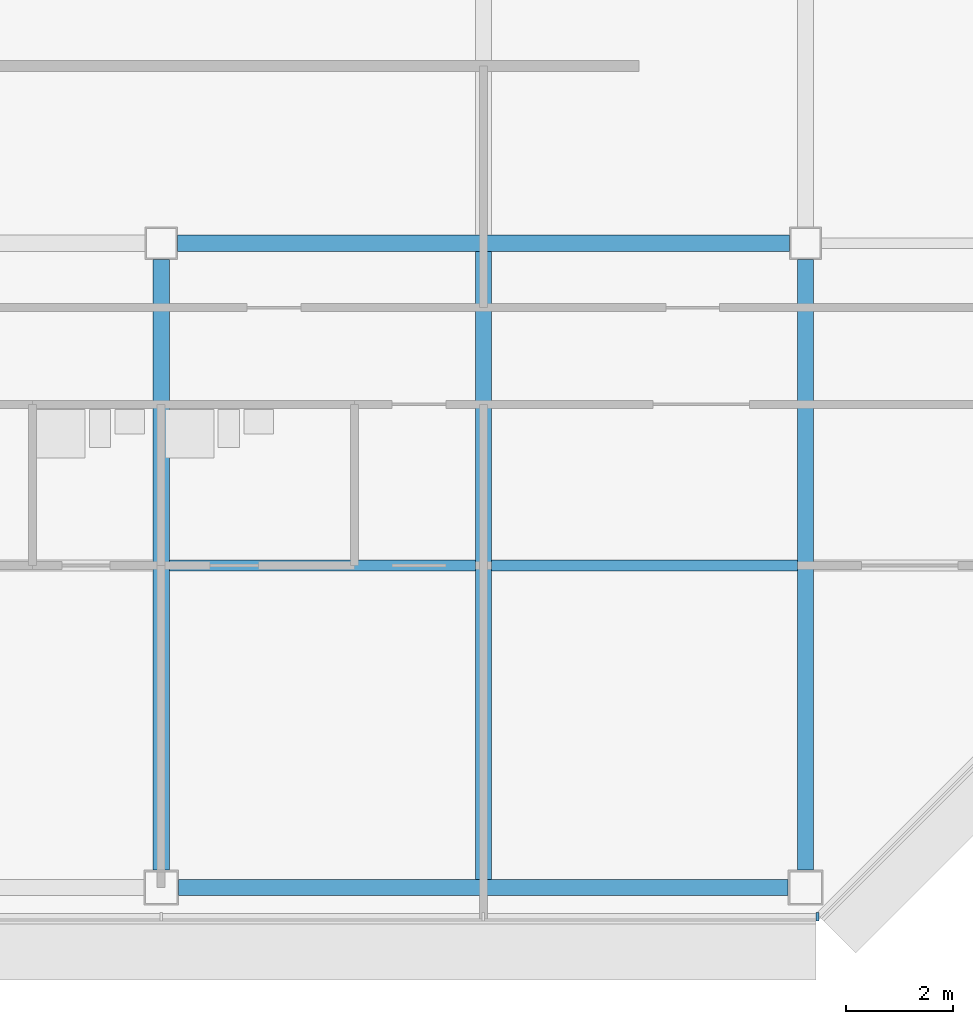
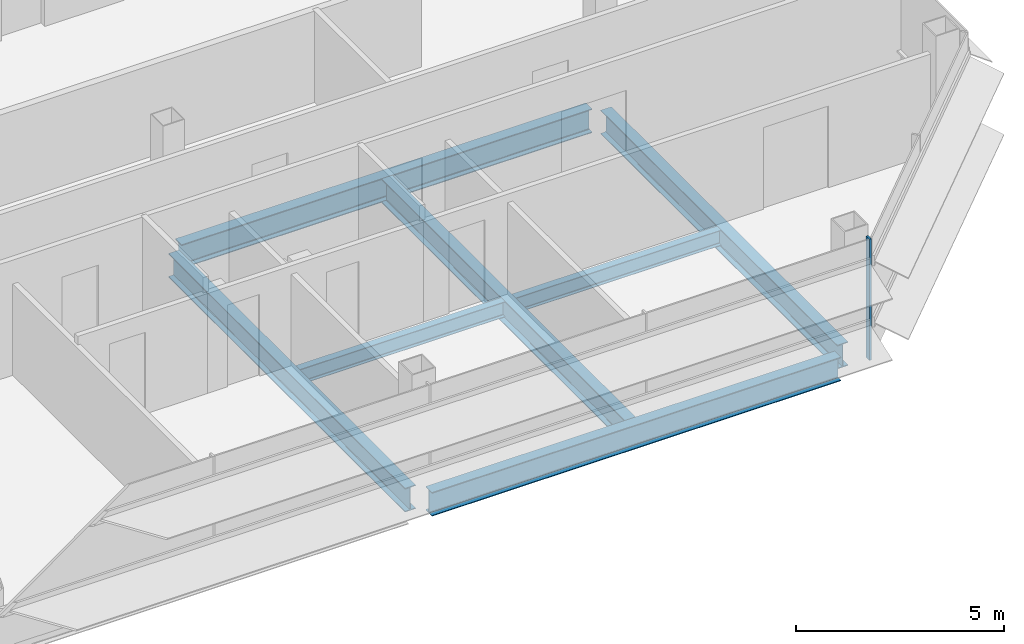
# One storey, part 9 of 27: 7 beams, 1 member, 1 element without a shape of its own.
"""IFC4 building model written with IfcOpenShell, lengths in metres."""

from ifc_helpers import new_model, si_unit, direction, frame, origin, origin_2d, place, context, subcontext, project, spatial, rectangle, i_section, extrude, material, material_profile, profile_set, type_object, element, aggregate, save


model = new_model("IFC4")

# Units and contexts
model_context = context("Model", 3, precision=1e-05, world=origin(), true_north=direction((0.0, 1.0)))
body_context = subcontext(model_context, "Body", "Model", "MODEL_VIEW")
ifc_project = project(units=[si_unit("LENGTHUNIT", "METRE"), si_unit("AREAUNIT", "SQUARE_METRE"), si_unit("VOLUMEUNIT", "CUBIC_METRE"), si_unit("PLANEANGLEUNIT", "RADIAN"), si_unit("MASSUNIT", "GRAM", prefix="KILO")], contexts=[model_context])

# Site, building, storey
site_placement = place(None, origin())
site = spatial("IfcSite", under=ifc_project, at=site_placement, CompositionType="ELEMENT")
building_placement = place(site_placement, origin())
building = spatial("IfcBuilding", under=site, at=building_placement, Name="Sorahane Residences", CompositionType="ELEMENT")
storey_placement = place(building_placement, frame((0.0, 0.0, 206.39990234375)))
storey = spatial("IfcBuildingStorey", under=building, at=storey_placement, Name="L48", CompositionType="ELEMENT", Elevation=206.39990234375)

# Curtain wall, member
ifc_material_1 = material(Name="Dark low-e glass and black anodised aluminium", Category="aluminium")
curtain_wall_type = type_object("IfcCurtainWallType", Name="Curtain wall CW-1 Typical unitised wall", PredefinedType="NOTDEFINED", material=ifc_material_1)
curtain_wall_placement = place(storey_placement, origin())
curtain_wall = element("IfcCurtainWall", 1, at=curtain_wall_placement, inside=storey, type_object=curtain_wall_type, Name="CW-1 curtain wall L48 S1", PredefinedType="NOTDEFINED")
ifc_material_2 = material(Name="Black anodised aluminium", Category="aluminium")
ifc_material_profile_1 = material_profile(ifc_material_2, rectangle(XDim=0.159912109375, YDim=0.050048828125, at=origin_2d()), Name="Curtain wall mullion CW-1 black anodised aluminium 50x160")
ifc_profile_set_1 = profile_set([ifc_material_profile_1], Name="Black anodised aluminium")
member_type = type_object("IfcMemberType", Name="Curtain wall mullion CW-1 black anodised aluminium 50x160", PredefinedType="MULLION", material=ifc_profile_set_1)
member_placement = place(storey_placement, frame((48.2236328125, -0.5400390625, -0.179931640625), z_axis=(0.0, 0.0, 1.0), x_axis=(0.0, -1.0, 0.0)))
member = element("IfcMember", 2, at=member_placement, type_object=member_type, Name="CW-1 mullion L48 S1.10", PredefinedType="MULLION", context=body_context, shape_type="SweptSolid", body=[
    extrude(rectangle(XDim=0.159912109375, YDim=0.050048828125, at=origin_2d()), origin(), (0.0, 0.0, 1.0), 3.56005859375),
])
aggregate(curtain_wall, [member])

# Beams
ifc_material_3 = material(Name="Steel Q355B", Category="steel")
ifc_material_profile_2 = material_profile(ifc_material_3, i_section(OverallWidth=0.199951171875, OverallDepth=0.449951171875, WebThickness=0.009033203125, FlangeThickness=0.013916015625, FilletRadius=0.02001953125, at=origin_2d()), Name="HN 450x200x9x14")
ifc_profile_set_2 = profile_set([ifc_material_profile_2], Name="Steel Q355B")
beam_type_1 = type_object("IfcBeamType", Name="Steel floor beam HN 450x200x9x14 Q355B", PredefinedType="BEAM", material=ifc_profile_set_2)
for number, where, z_axis, x_axis, name in (
    (3, (36.14990234375, 6.0, -0.40478515625), (1.0, 0.0, 0.0), (0.0, 1.0, 0.0), "Beam L48 075"),
    (4, (42.14990234375, 6.0, -0.40478515625), (1.0, 0.0, 0.0), (0.0, 1.0, 0.0), "Beam L48 076"),
):
    element("IfcBeam", number, at=place(storey_placement, frame(where, z_axis=z_axis, x_axis=x_axis)), inside=storey, type_object=beam_type_1, Name=name, PredefinedType="BEAM", context=body_context, shape_type="SweptSolid", body=[
        extrude(i_section(OverallWidth=0.199951171875, OverallDepth=0.449951171875, WebThickness=0.009033203125, FlangeThickness=0.013916015625, FilletRadius=0.02001953125, at=origin_2d()), origin(), (0.0, 0.0, 1.0), 5.7001953125),
    ])
ifc_material_4 = material(Name="Steel Q355B", Category="steel")
ifc_material_profile_3 = material_profile(ifc_material_4, i_section(OverallWidth=0.300048828125, OverallDepth=0.699951171875, WebThickness=0.012939453125, FlangeThickness=0.02392578125, FilletRadius=0.028076171875, at=origin_2d()), Name="HN 700x300x13x24")
ifc_profile_set_3 = profile_set([ifc_material_profile_3], Name="Steel Q355B")
beam_type_2 = type_object("IfcBeamType", Name="Steel floor beam HN 700x300x13x24 Q355B", PredefinedType="BEAM", material=ifc_profile_set_3)
beam_1_placement = place(storey_placement, frame((36.324951171875, 0.0, -0.52978515625), z_axis=(1.0, 0.0, 0.0), x_axis=(0.0, 1.0, 0.0)))
element("IfcBeam", 5, at=beam_1_placement, inside=storey, type_object=beam_type_2, Name="Beam L48 004", PredefinedType="BEAM", context=body_context, shape_type="SweptSolid", body=[
    extrude(i_section(OverallWidth=0.300048828125, OverallDepth=0.699951171875, WebThickness=0.012939453125, FlangeThickness=0.02392578125, FilletRadius=0.028076171875, at=origin_2d()), origin(), (0.0, 0.0, 1.0), 11.35009765625),
])
beam_2_placement = place(storey_placement, frame((36.300048828125, 12.0, -0.52978515625), z_axis=(1.0, 0.0, 0.0), x_axis=(0.0, 1.0, 0.0)))
element("IfcBeam", 6, at=beam_2_placement, inside=storey, type_object=beam_type_2, Name="Beam L48 009", PredefinedType="BEAM", context=body_context, shape_type="SweptSolid", body=[
    extrude(i_section(OverallWidth=0.300048828125, OverallDepth=0.699951171875, WebThickness=0.012939453125, FlangeThickness=0.02392578125, FilletRadius=0.028076171875, at=origin_2d()), origin(), (0.0, 0.0, 1.0), 11.39990234375),
])
beam_3_placement = place(storey_placement, frame((36.0, 0.324951171875, -0.52978515625), z_axis=(0.0, 1.0, 0.0), x_axis=(-1.0, 0.0, 0.0)))
element("IfcBeam", 7, at=beam_3_placement, inside=storey, type_object=beam_type_2, Name="Beam L48 050", PredefinedType="BEAM", context=body_context, shape_type="SweptSolid", body=[
    extrude(i_section(OverallWidth=0.300048828125, OverallDepth=0.699951171875, WebThickness=0.012939453125, FlangeThickness=0.02392578125, FilletRadius=0.028076171875, at=origin_2d()), origin(), (0.0, 0.0, 1.0), 11.375),
])
beam_4_placement = place(storey_placement, frame((42.0, 0.14990234375, -0.52978515625), z_axis=(0.0, 1.0, 0.0), x_axis=(-1.0, 0.0, 0.0)))
element("IfcBeam", 8, at=beam_4_placement, inside=storey, type_object=beam_type_2, Name="Beam L48 052", PredefinedType="BEAM", context=body_context, shape_type="SweptSolid", body=[
    extrude(i_section(OverallWidth=0.300048828125, OverallDepth=0.699951171875, WebThickness=0.012939453125, FlangeThickness=0.02392578125, FilletRadius=0.028076171875, at=origin_2d()), origin(), (0.0, 0.0, 1.0), 11.7001953125),
])
beam_5_placement = place(storey_placement, frame((48.0, 0.324951171875, -0.52978515625), z_axis=(0.0, 1.0, 0.0), x_axis=(-1.0, 0.0, 0.0)))
element("IfcBeam", 9, at=beam_5_placement, inside=storey, type_object=beam_type_2, Name="Beam L48 058", PredefinedType="BEAM", context=body_context, shape_type="SweptSolid", body=[
    extrude(i_section(OverallWidth=0.300048828125, OverallDepth=0.699951171875, WebThickness=0.012939453125, FlangeThickness=0.02392578125, FilletRadius=0.028076171875, at=origin_2d()), origin(), (0.0, 0.0, 1.0), 11.375),
])

save(model, "model.ifc")
